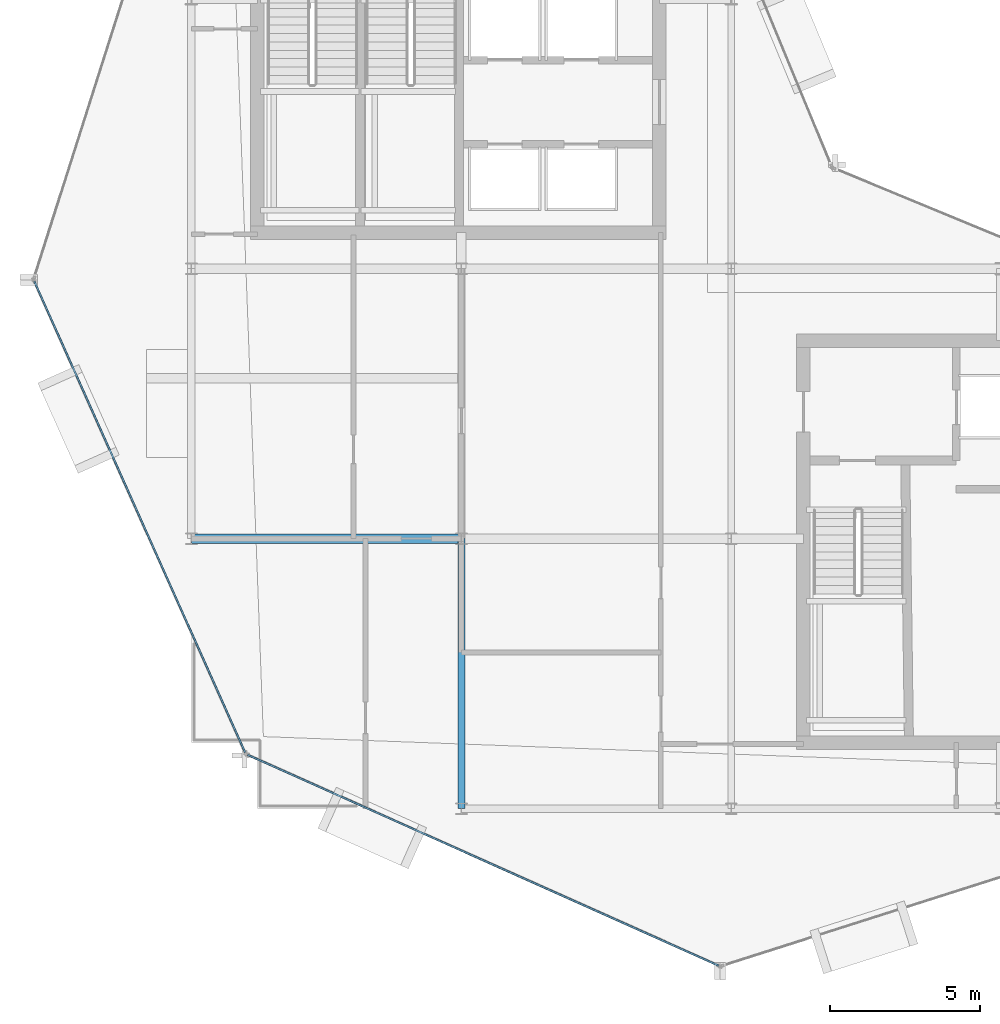
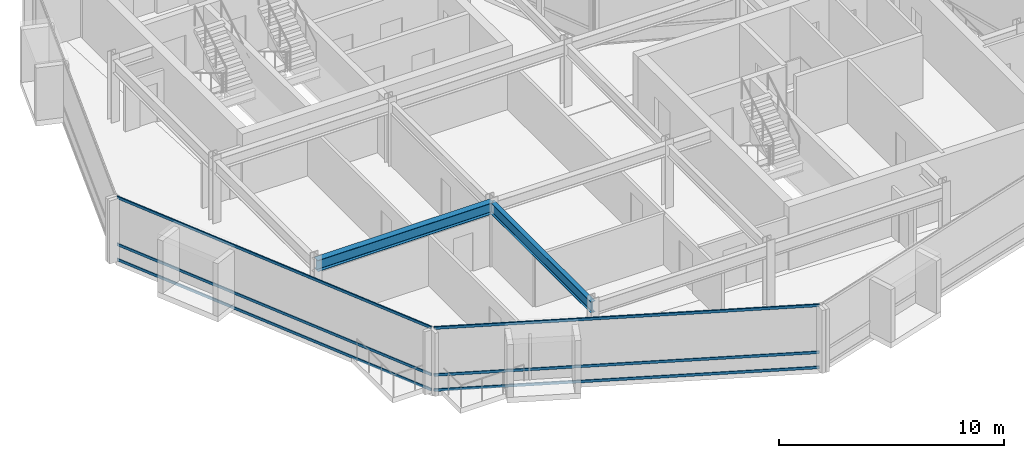
# One storey, part 3 of 19: 6 members, 2 beams, 2 elements without a shape of their own.
"""IFC4 building model written with IfcOpenShell, lengths in metres."""

from ifc_helpers import new_model, si_unit, direction, frame, origin, origin_2d, place, context, subcontext, project, spatial, hollow_rectangle, i_section, extrude, material, layer, layer_set, material_profile, profile_set, type_object, element, aggregate, save


model = new_model("IFC4")

# Units and contexts
model_context = context("Model", 3, precision=1e-05, world=origin(), true_north=direction((0.0, 1.0)))
body_context = subcontext(model_context, "Body", "Model", "MODEL_VIEW")
ifc_project = project(units=[si_unit("LENGTHUNIT", "METRE"), si_unit("AREAUNIT", "SQUARE_METRE"), si_unit("VOLUMEUNIT", "CUBIC_METRE"), si_unit("PLANEANGLEUNIT", "RADIAN"), si_unit("MASSUNIT", "GRAM", prefix="KILO")], contexts=[model_context])

# Site, building, storey
site_placement = place(None, origin())
site = spatial("IfcSite", under=ifc_project, at=site_placement, CompositionType="ELEMENT")
building_placement = place(site_placement, origin())
building = spatial("IfcBuilding", under=site, at=building_placement, Name="Solvaryn Broadcast Tower", CompositionType="ELEMENT")
storey_placement = place(building_placement, frame((0.0, 0.0, 248.199951171875)))
storey = spatial("IfcBuildingStorey", under=building, at=storey_placement, Name="L62", CompositionType="ELEMENT", Elevation=248.199951171875)

# Beams
ifc_material_1 = material(Name="Steel ASTM A992 Grade 50", Category="steel")
ifc_material_profile_1 = material_profile(ifc_material_1, i_section(OverallWidth=0.323974609375, OverallDepth=0.611083984375, WebThickness=0.0126953125, FlangeThickness=0.01904296875, FilletRadius=0.014892578125, at=origin_2d()))
ifc_profile_set_1 = profile_set([ifc_material_profile_1], Name="Steel ASTM A992 Grade 50")
beam_type_1 = type_object("IfcBeamType", Name="BM-B1-W24X104", PredefinedType="BEAM", material=ifc_profile_set_1)
beam_1_placement = place(storey_placement, frame((9.0, 18.0, 3.114501953125), z_axis=(1.0, 0.0, 0.0), x_axis=(0.0, 1.0, 0.0)))
element("IfcBeam", 1, at=beam_1_placement, inside=storey, type_object=beam_type_1, Name="L62 Primary Beam X (9-18 @ Y=18)", PredefinedType="BEAM", context=body_context, shape_type="SweptSolid", body=[
    extrude(i_section(OverallWidth=0.323974609375, OverallDepth=0.611083984375, WebThickness=0.0126953125, FlangeThickness=0.01904296875, FilletRadius=0.014892578125, at=origin_2d()), origin(), (0.0, 0.0, 1.0), 9.0),
])
ifc_material_2 = material(Name="Steel ASTM A992 Grade 50", Category="steel")
ifc_material_profile_2 = material_profile(ifc_material_2, i_section(OverallWidth=0.22802734375, OverallDepth=0.60791015625, WebThickness=0.01123046875, FlangeThickness=0.017333984375, FilletRadius=0.014892578125, at=origin_2d()))
ifc_profile_set_2 = profile_set([ifc_material_profile_2], Name="Steel ASTM A992 Grade 50")
beam_type_2 = type_object("IfcBeamType", Name="BM-B2-W24X76", PredefinedType="BEAM", material=ifc_profile_set_2)
beam_2_placement = place(storey_placement, frame((18.0, 9.0, 3.115966796875), z_axis=(0.0, 1.0, 0.0), x_axis=(-1.0, 0.0, 0.0)))
element("IfcBeam", 2, at=beam_2_placement, inside=storey, type_object=beam_type_2, Name="L62 Primary Beam Y (9-18 @ X=18)", PredefinedType="BEAM", context=body_context, shape_type="SweptSolid", body=[
    extrude(i_section(OverallWidth=0.22802734375, OverallDepth=0.60791015625, WebThickness=0.01123046875, FlangeThickness=0.017333984375, FilletRadius=0.014892578125, at=origin_2d()), origin(), (0.0, 0.0, 1.0), 9.0),
])

# Curtain wall, members
ifc_material_3 = material(Name="Aluminium and Terracotta Unitised Curtain Wall", Category="masonry")
ifc_layer = layer(ifc_material_3, 0.199951171875)
ifc_layer_set = layer_set([ifc_layer], Name="CW-SYS2-LOWMID")
curtain_wall_type = type_object("IfcCurtainWallType", Name="CW-SYS2-LOWMID", PredefinedType="NOTDEFINED", material=ifc_layer_set)
curtain_wall_1_placement = place(storey_placement, origin())
curtain_wall_1 = element("IfcCurtainWall", 3, at=curtain_wall_1_placement, inside=storey, type_object=curtain_wall_type, Name="L62 Curtain Wall DR2", PredefinedType="NOTDEFINED")
ifc_material_4 = material(Name="Anodised Aluminium 6063-T6", Category="aluminium")
ifc_material_profile_3 = material_profile(ifc_material_4, hollow_rectangle(XDim=0.06494140625, YDim=0.14990234375, WallThickness=0.00390625, InnerFilletRadius=0.00390625, OuterFilletRadius=0.008056640625, at=origin_2d()))
ifc_profile_set_3 = profile_set([ifc_material_profile_3], Name="Anodised Aluminium 6063-T6")
member_type = type_object("IfcMemberType", Name="CW-TRN-150", PredefinedType="USERDEFINED", material=ifc_profile_set_3)
member_1_placement = place(storey_placement, frame((3.762451171875, 26.581298828125, 0.030029296875), z_axis=(0.408468080937, -0.912772604133, 0.0), x_axis=(0.912772604133, 0.408468080937, 0.0)))
member_1 = element("IfcMember", 4, at=member_1_placement, type_object=member_type, Name="CWS2 transom 1.1", ObjectType="TRANSOM", PredefinedType="USERDEFINED", context=body_context, shape_type="SweptSolid", body=[
    extrude(hollow_rectangle(XDim=0.06494140625, YDim=0.14990234375, WallThickness=0.00390625, InnerFilletRadius=0.00390625, OuterFilletRadius=0.008056640625, at=origin_2d()), origin(), (0.0, 0.0, 1.0), 17.210693359375),
])
member_2_placement = place(storey_placement, frame((3.762451171875, 26.581298828125, 0.85009765625), z_axis=(0.408468080937, -0.912772604133, 0.0), x_axis=(0.912772604133, 0.408468080937, 0.0)))
member_2 = element("IfcMember", 5, at=member_2_placement, type_object=member_type, Name="CWS2 transom 1.2", ObjectType="TRANSOM", PredefinedType="USERDEFINED", context=body_context, shape_type="SweptSolid", body=[
    extrude(hollow_rectangle(XDim=0.06494140625, YDim=0.14990234375, WallThickness=0.00390625, InnerFilletRadius=0.00390625, OuterFilletRadius=0.008056640625, at=origin_2d()), origin(), (0.0, 0.0, 1.0), 17.210693359375),
])
member_3_placement = place(storey_placement, frame((3.762451171875, 26.581298828125, 3.39013671875), z_axis=(0.408468080937, -0.912772604133, 0.0), x_axis=(0.912772604133, 0.408468080937, 0.0)))
member_3 = element("IfcMember", 6, at=member_3_placement, type_object=member_type, Name="CWS2 transom 1.3", ObjectType="TRANSOM", PredefinedType="USERDEFINED", context=body_context, shape_type="SweptSolid", body=[
    extrude(hollow_rectangle(XDim=0.06494140625, YDim=0.14990234375, WallThickness=0.00390625, InnerFilletRadius=0.00390625, OuterFilletRadius=0.008056640625, at=origin_2d()), origin(), (0.0, 0.0, 1.0), 17.210693359375),
])
aggregate(curtain_wall_1, [member_1, member_2, member_3])

curtain_wall_2_placement = place(storey_placement, origin())
curtain_wall_2 = element("IfcCurtainWall", 7, at=curtain_wall_2_placement, inside=storey, type_object=curtain_wall_type, Name="L62 Curtain Wall DR3", PredefinedType="NOTDEFINED")
member_4_placement = place(storey_placement, frame((10.871826171875, 10.79248046875, 0.030029296875), z_axis=(0.912772604133, -0.408468080937, 0.0), x_axis=(0.408468080937, 0.912772604133, 0.0)))
member_4 = element("IfcMember", 8, at=member_4_placement, type_object=member_type, Name="CWS2 transom 1.1", ObjectType="TRANSOM", PredefinedType="USERDEFINED", context=body_context, shape_type="SweptSolid", body=[
    extrude(hollow_rectangle(XDim=0.06494140625, YDim=0.14990234375, WallThickness=0.00390625, InnerFilletRadius=0.00390625, OuterFilletRadius=0.008056640625, at=origin_2d()), origin(), (0.0, 0.0, 1.0), 17.210693359375),
])
member_5_placement = place(storey_placement, frame((10.871826171875, 10.79248046875, 0.85009765625), z_axis=(0.912772604133, -0.408468080937, 0.0), x_axis=(0.408468080937, 0.912772604133, 0.0)))
member_5 = element("IfcMember", 9, at=member_5_placement, type_object=member_type, Name="CWS2 transom 1.2", ObjectType="TRANSOM", PredefinedType="USERDEFINED", context=body_context, shape_type="SweptSolid", body=[
    extrude(hollow_rectangle(XDim=0.06494140625, YDim=0.14990234375, WallThickness=0.00390625, InnerFilletRadius=0.00390625, OuterFilletRadius=0.008056640625, at=origin_2d()), origin(), (0.0, 0.0, 1.0), 17.210693359375),
])
member_6_placement = place(storey_placement, frame((10.871826171875, 10.79248046875, 3.39013671875), z_axis=(0.912772604133, -0.408468080937, 0.0), x_axis=(0.408468080937, 0.912772604133, 0.0)))
member_6 = element("IfcMember", 10, at=member_6_placement, type_object=member_type, Name="CWS2 transom 1.3", ObjectType="TRANSOM", PredefinedType="USERDEFINED", context=body_context, shape_type="SweptSolid", body=[
    extrude(hollow_rectangle(XDim=0.06494140625, YDim=0.14990234375, WallThickness=0.00390625, InnerFilletRadius=0.00390625, OuterFilletRadius=0.008056640625, at=origin_2d()), origin(), (0.0, 0.0, 1.0), 17.210693359375),
])
aggregate(curtain_wall_2, [member_4, member_5, member_6])

save(model, "model.ifc")
